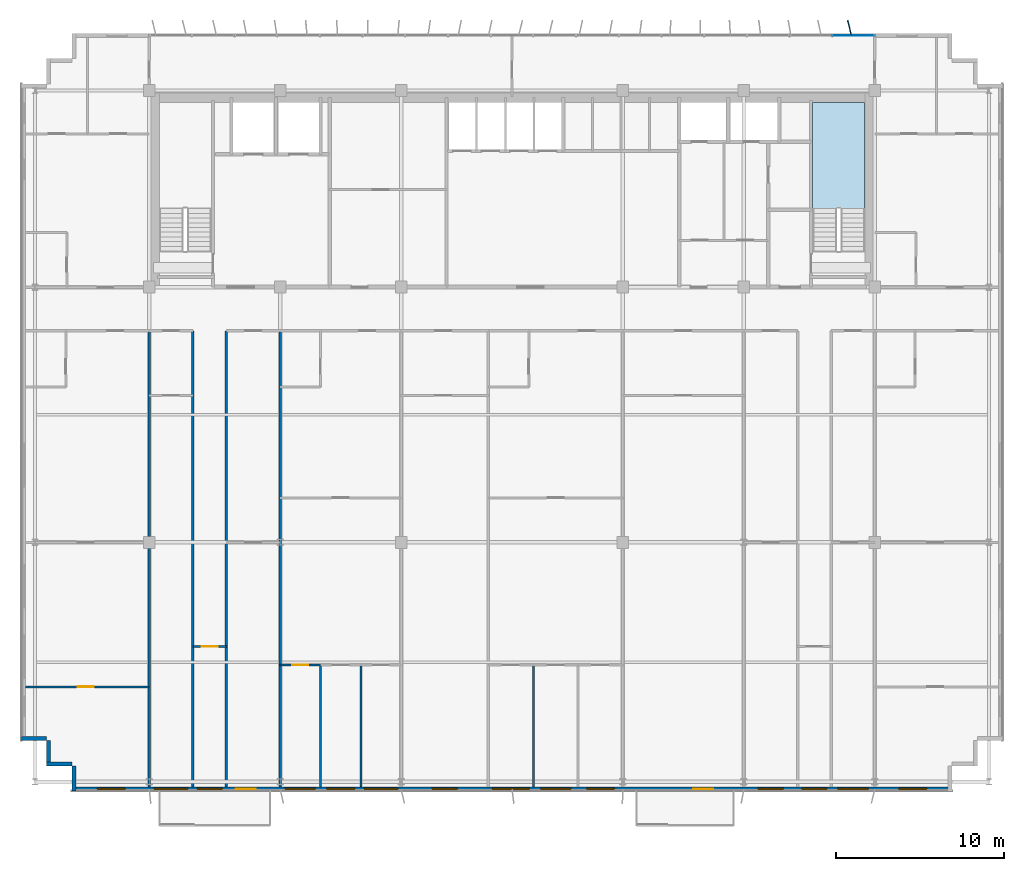
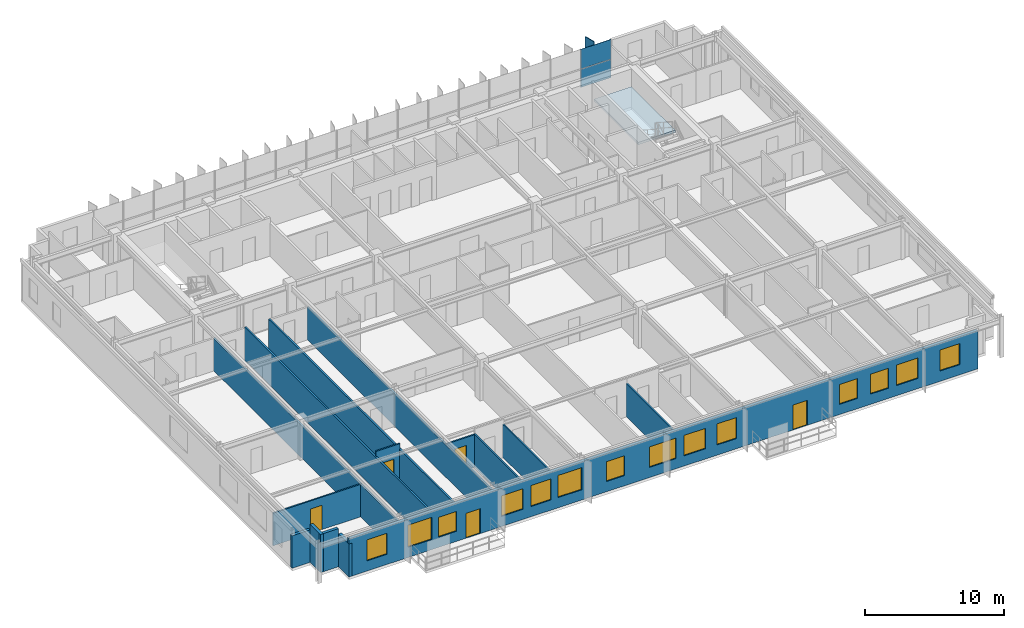
# One storey, part 16 of 23: 15 walls, 14 windows, 5 doors, 3 plates, 1 slab, 19 openings, 2 elements without a shape of their own.
"""IFC4 building model written with IfcOpenShell, lengths in metres."""

import ifcopenshell
import ifcopenshell.guid

model = None  # the IFC model being written
_history = None  # IfcOwnerHistory: only IFC2X3 demands one
_inside = {}  # id of a spatial element -> (the spatial element, [elements in it])
_under = {}  # id of a project, library or spatial element -> (it, [spatial elements below it])
_declared = {}  # id of a project -> (the project, [libraries it declares])
_typed = {}  # id of a type object -> (the type object, [elements of that type])
_made_of = {}  # id of a material, layer set ... -> (it, [elements and type objects made of it])


def new_model(schema):
    """Start an empty IFC model of exactly this schema.

    Asked for "IFC4X3", IfcOpenShell would pick the latest addendum, in which some entities
    have other attributes; the version numbers below select the first issue.
    IFC2X3 requires an IfcOwnerHistory on every rooted entity: one is made here for all.
    """
    global model, _history
    if schema == "IFC4X3":
        model = ifcopenshell.file(schema_version=(4, 3, 0, 0))
    else:
        model = ifcopenshell.file(schema=schema)
    _inside.clear()
    _under.clear()
    _declared.clear()
    _typed.clear()
    _made_of.clear()
    _history = None
    if model.schema == "IFC2X3":
        org = make("IfcOrganization", Name="unknown")
        user = make(
            "IfcPersonAndOrganization",
            ThePerson=make("IfcPerson", FamilyName="unknown"),
            TheOrganization=org,
        )
        app = make(
            "IfcApplication",
            ApplicationDeveloper=org,
            Version="unknown",
            ApplicationFullName="unknown",
            ApplicationIdentifier="unknown",
        )
        _history = make(
            "IfcOwnerHistory",
            OwningUser=user,
            OwningApplication=app,
            ChangeAction="ADDED",
            CreationDate=0,
        )
    return model


def make(cls, **values):
    """One entity of the class cls with the attributes given. An attribute that is None is left unset."""
    return model.create_entity(
        cls, **{name: value for name, value in values.items() if value is not None}
    )


def rooted(cls, **values):
    """An entity with a GlobalId (a new one), such as an element, a storey or a relation."""
    return make(cls, GlobalId=ifcopenshell.guid.new(), OwnerHistory=_history, **values)


def si_unit(unit_type, name, prefix=None):
    """IfcSIUnit, for example si_unit("LENGTHUNIT", "METRE", prefix="MILLI")."""
    return make("IfcSIUnit", UnitType=unit_type, Prefix=prefix, Name=name)


def assignment(units):
    """IfcUnitAssignment: the units of a project."""
    return None if units is None else make("IfcUnitAssignment", Units=units)


def point(xyz):
    """IfcCartesianPoint."""
    return None if xyz is None else make("IfcCartesianPoint", Coordinates=xyz)


def direction(xyz):
    """IfcDirection."""
    return None if xyz is None else make("IfcDirection", DirectionRatios=xyz)


def frame(location, z_axis=None, x_axis=None):
    """IfcAxis2Placement3D, a coordinate frame: its origin and axes. An axis left out is left unset."""
    return make(
        "IfcAxis2Placement3D",
        Location=point(location),
        Axis=direction(z_axis),
        RefDirection=direction(x_axis),
    )


def frame_2d(location, x_axis=None):
    """IfcAxis2Placement2D, a coordinate frame in the plane: its origin and x axis."""
    return make(
        "IfcAxis2Placement2D", Location=point(location), RefDirection=direction(x_axis)
    )


def origin():
    """The frame at (0, 0, 0) with its axes left unset."""
    return frame((0.0, 0.0, 0.0))


def origin_2d():
    """The frame at (0, 0) in the plane with its x axis left unset."""
    return frame_2d((0.0, 0.0))


def place(relative_to, where):
    """IfcLocalPlacement: puts the frame where relative to a parent placement (None: the world)."""
    return make(
        "IfcLocalPlacement", PlacementRelTo=relative_to, RelativePlacement=where
    )


def context(
    kind, dimensions, precision=None, world=None, true_north=None, identifier=None
):
    """IfcGeometricRepresentationContext, for example the 3D "Model" context."""
    return make(
        "IfcGeometricRepresentationContext",
        ContextIdentifier=identifier,
        ContextType=kind,
        CoordinateSpaceDimension=dimensions,
        Precision=precision,
        WorldCoordinateSystem=world,
        TrueNorth=true_north,
    )


def subcontext(parent, identifier, kind, view, scale=None):
    """IfcGeometricRepresentationSubContext, for example "Body" below "Model"."""
    return make(
        "IfcGeometricRepresentationSubContext",
        ContextIdentifier=identifier,
        ContextType=kind,
        ParentContext=parent,
        TargetScale=scale,
        TargetView=view,
    )


def project(units=None, contexts=None):
    """IfcProject with its units and contexts."""
    return rooted(
        "IfcProject",
        Name="project",
        RepresentationContexts=contexts,
        UnitsInContext=assignment(units),
    )


def spatial(cls, under=None, at=None, **own):
    """A site, building, storey or space (cls), placed at a placement, below another one or the project."""
    s = rooted(cls, ObjectPlacement=at, **own)
    if under is not None:
        _under.setdefault(under.id(), (under, []))[1].append(s)
    return s


def polyline(points):
    """IfcPolyline through the points."""
    return make("IfcPolyline", Points=[point(p) for p in points])


def profile(cls, at=None, kind="AREA", **sizes):
    """A parametric profile (cls). Its sizes go by their IFC names, for example OverallWidth=200.0."""
    return make(cls, ProfileType=kind, Position=at, **sizes)


def rectangle(**sizes):
    """IfcRectangleProfileDef."""
    return profile("IfcRectangleProfileDef", **sizes)


def outline(outer, holes=None, kind="AREA"):
    """IfcArbitraryClosedProfileDef: a profile drawn as a closed curve; with holes, ...WithVoids."""
    if holes is None:
        return make("IfcArbitraryClosedProfileDef", ProfileType=kind, OuterCurve=outer)
    return make(
        "IfcArbitraryProfileDefWithVoids",
        ProfileType=kind,
        OuterCurve=outer,
        InnerCurves=holes,
    )


def extrude(swept, where, along, depth):
    """IfcExtrudedAreaSolid: the profile swept, set in the frame where, extruded along a direction by depth."""
    return make(
        "IfcExtrudedAreaSolid",
        SweptArea=swept,
        Position=where,
        ExtrudedDirection=direction(along),
        Depth=depth,
    )


def shape(context_of_items, identifier, shape_type, items):
    """IfcShapeRepresentation: the items that make up one representation, for example the "Body"."""
    return make(
        "IfcShapeRepresentation",
        ContextOfItems=context_of_items,
        RepresentationIdentifier=identifier,
        RepresentationType=shape_type,
        Items=items,
    )


def source(mapping_origin, context_of_items, identifier, shape_type, items):
    """IfcRepresentationMap: a shape defined once, which mapped items show again and again."""
    return make(
        "IfcRepresentationMap",
        MappingOrigin=mapping_origin,
        MappedRepresentation=shape(context_of_items, identifier, shape_type, items),
    )


def transform(
    local_origin,
    x_axis=None,
    y_axis=None,
    z_axis=None,
    scale=None,
    scale2=None,
    scale3=None,
    uniform=True,
):
    """IfcCartesianTransformationOperator3D, or its non-uniform kind. x_axis, y_axis, z_axis: its Axis1, 2, 3."""
    if uniform:
        return make(
            "IfcCartesianTransformationOperator3D",
            Axis1=direction(x_axis),
            Axis2=direction(y_axis),
            LocalOrigin=point(local_origin),
            Scale=scale,
            Axis3=direction(z_axis),
        )
    return make(
        "IfcCartesianTransformationOperator3DnonUniform",
        Axis1=direction(x_axis),
        Axis2=direction(y_axis),
        LocalOrigin=point(local_origin),
        Scale=scale,
        Axis3=direction(z_axis),
        Scale2=scale2,
        Scale3=scale3,
    )


def mapped(mapping_source, mapping_target):
    """IfcMappedItem: shows the shape of a source again, moved by a transform."""
    return make(
        "IfcMappedItem", MappingSource=mapping_source, MappingTarget=mapping_target
    )


def material(Name=None, Category=None):
    """IfcMaterial."""
    return make("IfcMaterial", Name=Name, Category=Category)


def layer(
    of_material, thickness, ventilated=None, Name=None, Category=None, Priority=None
):
    """IfcMaterialLayer: one layer of a wall or slab, of a material (None: an air gap)."""
    return make(
        "IfcMaterialLayer",
        Material=of_material,
        LayerThickness=thickness,
        IsVentilated=ventilated,
        Name=Name,
        Category=Category,
        Priority=Priority,
    )


def layer_set(layers, Name=None):
    """IfcMaterialLayerSet."""
    return make("IfcMaterialLayerSet", MaterialLayers=layers, LayerSetName=Name)


def made_of(thing, what):
    """Note that an element or type object is made of a material, layer set ...; save() writes the relation."""
    if what is not None:
        _made_of.setdefault(what.id(), (what, []))[1].append(thing)
    return thing


def type_object(cls, material=None, **own):
    """A type object (cls), such as IfcWallType, which elements share."""
    return made_of(rooted(cls, **own), material)


def element(
    cls,
    number,
    at=None,
    inside=None,
    cuts=None,
    type_object=None,
    material=None,
    context=None,
    identifier="Body",
    shape_type=None,
    held_by="IfcProductDefinitionShape",
    body=None,
    shapes=None,
    **own,
):
    """One element of the class cls, such as IfcWall. Its Tag is "e" and its number.

    at: its placement. inside: the storey or other place that contains it. cuts: it is an
    opening in that element (IfcRelVoidsElement). A single representation is given by context,
    identifier, shape_type and body (its items); several are given by shapes. held_by: the class
    of the entity that holds the representations. save() writes the other relations.
    """
    e = rooted(cls, Tag="e%d" % number, ObjectPlacement=at, **own)
    if body is not None:
        shapes = [shape(context, identifier, shape_type, body)]
    if shapes is not None:
        e.Representation = make(held_by, Representations=shapes)
    if inside is not None:
        _inside.setdefault(inside.id(), (inside, []))[1].append(e)
    if cuts is not None:
        rooted(
            "IfcRelVoidsElement", RelatingBuildingElement=cuts, RelatedOpeningElement=e
        )
    if type_object is not None:
        _typed.setdefault(type_object.id(), (type_object, []))[1].append(e)
    return made_of(e, material)


def fill(opening, filler):
    """IfcRelFillsElement: the door or window that sits in an opening."""
    return rooted(
        "IfcRelFillsElement",
        RelatingOpeningElement=opening,
        RelatedBuildingElement=filler,
    )


def aggregate(whole, parts):
    """IfcRelAggregates: a whole, such as a stair, and the parts it consists of."""
    return rooted("IfcRelAggregates", RelatingObject=whole, RelatedObjects=parts)


def save(model, path):
    """Write the relations noted so far, then the file.

    IfcRelAggregates (storeys below a building ...), IfcRelContainedInSpatialStructure (elements
    in a storey), IfcRelDefinesByType, IfcRelAssociatesMaterial and IfcRelDeclares: one each for
    every whole, place, type object, material and project.
    """
    for whole, parts in _under.values():
        aggregate(whole, parts)
    for where, things in _inside.values():
        rooted(
            "IfcRelContainedInSpatialStructure",
            RelatedElements=things,
            RelatingStructure=where,
        )
    for kind, things in _typed.values():
        rooted("IfcRelDefinesByType", RelatedObjects=things, RelatingType=kind)
    for what, things in _made_of.values():
        rooted("IfcRelAssociatesMaterial", RelatedObjects=things, RelatingMaterial=what)
    for by, libraries in _declared.values():
        rooted("IfcRelDeclares", RelatingContext=by, RelatedDefinitions=libraries)
    model.write(path)


model = new_model("IFC4")

# Units and contexts
model_context = context("Model", 3, precision=1e-05, world=origin(), true_north=direction((0.0, 1.0)))
body_context = subcontext(model_context, "Body", "Model", "MODEL_VIEW")
ifc_project = project(units=[si_unit("LENGTHUNIT", "METRE"), si_unit("AREAUNIT", "SQUARE_METRE"), si_unit("VOLUMEUNIT", "CUBIC_METRE"), si_unit("PLANEANGLEUNIT", "RADIAN"), si_unit("MASSUNIT", "GRAM", prefix="KILO")], contexts=[model_context])

# Site, building, storey
site_placement = place(None, origin())
site = spatial("IfcSite", under=ifc_project, at=site_placement, CompositionType="ELEMENT")
building_placement = place(site_placement, origin())
building = spatial("IfcBuilding", under=site, at=building_placement, Name="Trelvane Seafront Commons", CompositionType="ELEMENT")
storey_placement = place(building_placement, frame((0.0, 0.0, 208.5)))
storey = spatial("IfcBuildingStorey", under=building, at=storey_placement, Name="L54", CompositionType="ELEMENT", Elevation=208.5)

# Stair, slab
ifc_material_1 = material(Name="Concrete C40/50", Category="concrete")
stair_type = type_object("IfcStairType", Name="ARCH-STR-ST-2-R20-180", PredefinedType="HALF_TURN_STAIR", material=ifc_material_1)
stair_placement = place(storey_placement, origin())
stair = element("IfcStair", 1, at=stair_placement, inside=storey, type_object=stair_type, Name="L54 East Protected Firefighting Exit Stair ST-2", PredefinedType="HALF_TURN_STAIR")
ifc_layer_1 = layer(ifc_material_1, 0.199951171875, Name="ARCH-LND-200")
ifc_layer_set_1 = layer_set([ifc_layer_1], Name="Concrete C40/50")
slab_type = type_object("IfcSlabType", Name="ARCH-LND-200", PredefinedType="LANDING", material=ifc_layer_set_1)
slab_placement = place(storey_placement, frame((0.0, 0.0, 1.60009765625)))
slab = element("IfcSlab", 2, at=slab_placement, type_object=slab_type, Name="ST-2 landing 1", PredefinedType="LANDING", context=body_context, shape_type="SweptSolid", body=[
    extrude(outline(polyline([(58.199951171875, 38.070068359375), (58.199951171875, 44.39990234375), (55.10009765625, 44.39990234375), (55.10009765625, 38.070068359375), (58.199951171875, 38.070068359375)])), origin(), (0.0, 0.0, 1.0), 0.199951171875),
])
aggregate(stair, [slab])

# Plate
ifc_material_2 = material(Name="Anodised pale-silver aluminium", Category="aluminium")
ifc_layer_2 = layer(ifc_material_2, 0.06005859375, Name="ARCH-PLATE-FIN900")
ifc_layer_set_2 = layer_set([ifc_layer_2], Name="Anodised pale-silver aluminium")
plate_type_1 = type_object("IfcPlateType", Name="ARCH-PLATE-FIN900", PredefinedType="USERDEFINED", material=ifc_layer_set_2)
shared_shape_1 = source(origin(), body_context, "Body", "SweptSolid", [
    extrude(rectangle(XDim=0.89990234375, YDim=0.06005859375, at=origin_2d()), origin(), (0.0, 0.0, 1.0), 3.639892578125),
])
plate_1_placement = place(storey_placement, frame((57.293701171875, 48.837158203125, -0.02001953125), z_axis=(0.0, 0.0, 1.0), x_axis=(-0.236439642978, 0.971646178003, 0.0)))
element("IfcPlate", 3, at=plate_1_placement, inside=storey, type_object=plate_type_1, Name="FIN-L54-01503", ObjectType="FIN", PredefinedType="USERDEFINED", context=body_context, shape_type="MappedRepresentation", body=[
    mapped(shared_shape_1, transform((0.0, 0.0, 0.0), x_axis=(1.0, 0.0, 0.0), y_axis=(0.0, 1.0, 0.0), z_axis=(0.0, 0.0, 1.0), scale=1.0)),
])

# Curtain wall, plates
curtain_wall_type = type_object("IfcCurtainWallType", Name="ARCH-CW5-UPTOWER", PredefinedType="NOTDEFINED", material=ifc_material_2)
curtain_wall_placement = place(storey_placement, origin())
curtain_wall = element("IfcCurtainWall", 4, at=curtain_wall_placement, inside=storey, type_object=curtain_wall_type, Name="CW-L54-0097", PredefinedType="NOTDEFINED")
ifc_material_3 = material(Name="Low-E coastal double glazing", Category="glass")
ifc_layer_3 = layer(ifc_material_3, 0.033935546875, Name="ARCH-CW-GLAZ-34")
ifc_layer_set_3 = layer_set([ifc_layer_3], Name="Low-E coastal double glazing")
plate_type_2 = type_object("IfcPlateType", Name="ARCH-CW-GLAZ-34", PredefinedType="CURTAIN_PANEL", material=ifc_layer_set_3)
shared_shape_2 = source(origin(), body_context, "Body", "SweptSolid", [
    extrude(rectangle(XDim=2.51708984375, YDim=0.033935546875, at=origin_2d()), origin(), (0.0, 0.0, 1.0), 1.594970703125),
])
plate_2_placement = place(storey_placement, frame((57.529296875, 48.3701171875, 0.0), z_axis=(0.0, 0.0, 1.0), x_axis=(1.0, 0.0, 0.0)))
plate_2 = element("IfcPlate", 5, at=plate_2_placement, type_object=plate_type_2, Name="CW-L54-0097-P16-1", PredefinedType="CURTAIN_PANEL", context=body_context, shape_type="MappedRepresentation", body=[
    mapped(shared_shape_2, transform((0.0, 0.0, 0.0), x_axis=(1.0, 0.0, 0.0), y_axis=(0.0, 1.0, 0.0), z_axis=(0.0, 0.0, 1.0), scale=1.0)),
])
shared_shape_3 = source(origin(), body_context, "Body", "SweptSolid", [
    extrude(rectangle(XDim=2.51708984375, YDim=0.033935546875, at=origin_2d()), origin(), (0.0, 0.0, 1.0), 1.72900390625),
])
plate_3_placement = place(storey_placement, frame((57.529296875, 48.3701171875, 1.631103515625), z_axis=(0.0, 0.0, 1.0), x_axis=(1.0, 0.0, 0.0)))
plate_3 = element("IfcPlate", 6, at=plate_3_placement, type_object=plate_type_2, Name="CW-L54-0097-P16-2", PredefinedType="CURTAIN_PANEL", context=body_context, shape_type="MappedRepresentation", body=[
    mapped(shared_shape_3, transform((0.0, 0.0, 0.0), x_axis=(1.0, 0.0, 0.0), y_axis=(0.0, 1.0, 0.0), z_axis=(0.0, 0.0, 1.0), scale=1.0)),
])
aggregate(curtain_wall, [plate_2, plate_3])

# Walls
ifc_material_4 = material(Name="Precast concrete C40/50", Category="concrete")
ifc_layer_4 = layer(ifc_material_4, 0.239990234375, Name="ARCH-WALL-EXT240")
ifc_layer_set_4 = layer_set([ifc_layer_4], Name="Precast concrete C40/50")
wall_type_1 = type_object("IfcWallType", Name="ARCH-WALL-EXT240", PredefinedType="SOLIDWALL", material=ifc_layer_set_4)
for number, where, z_axis, x_axis, name in (
    (7, (11.0, 5.02001953125, 0.0), (0.0, 0.0, 1.0), (-1.0, 0.0, 0.0), "EW-L54-01080"),
    (8, (9.6201171875, 4.89990234375, 0.0), (0.0, 0.0, 1.0), (0.0, 1.0, 0.0), "EW-L54-01081"),
):
    element("IfcWall", number, at=place(storey_placement, frame(where, z_axis=z_axis, x_axis=x_axis)), inside=storey, type_object=wall_type_1, Name=name, PredefinedType="SOLIDWALL", context=body_context, shape_type="SweptSolid", body=[
        extrude(rectangle(XDim=1.5, YDim=0.239990234375, at=frame_2d((0.75, 0.0))), origin(), (0.0, 0.0, 1.0), 3.360107421875),
    ])
wall_1_placement = place(storey_placement, frame((9.5, 6.52001953125, 0.0), z_axis=(0.0, 0.0, 1.0), x_axis=(-1.0, 0.0, 0.0)))
element("IfcWall", 9, at=wall_1_placement, inside=storey, type_object=wall_type_1, Name="EW-L54-01082", PredefinedType="SOLIDWALL", context=body_context, shape_type="SweptSolid", body=[
    extrude(rectangle(XDim=1.5, YDim=0.239990234375, at=frame_2d((0.75, 0.0))), origin(), (0.0, 0.0, 1.0), 2.860107421875),
])

# Wall, openings, doors, windows
wall_2_placement = place(storey_placement, frame((63.39990234375, 3.52001953125, 0.0), z_axis=(0.0, 0.0, 1.0), x_axis=(-1.0, 0.0, 0.0)))
wall_2 = element("IfcWall", 10, at=wall_2_placement, inside=storey, type_object=wall_type_1, Name="EW-L54-01097", PredefinedType="SOLIDWALL", context=body_context, shape_type="SweptSolid", body=[
    extrude(rectangle(XDim=52.39990234375, YDim=0.239990234375, at=frame_2d((26.199951171875, 0.0))), origin(), (0.0, 0.0, 1.0), 3.360107421875),
])
opening_1_placement = place(wall_2_placement, frame((1.52001953125, 0.0, 0.89990234375)))
opening_1 = element("IfcOpeningElement", 11, at=opening_1_placement, cuts=wall_2, Name="Opening W07", PredefinedType="OPENING", context=body_context, shape_type="SweptSolid", body=[
    extrude(rectangle(XDim=1.64990234375, YDim=1.85009765625, at=frame_2d((0.824951171875, 0.925048828125))), frame((0.0, 0.1298828125, 0.0), z_axis=(0.0, -1.0, 0.0), x_axis=(1.0, 0.0, 0.0)), (0.0, 0.0, 1.0), 0.260009765625),
])
opening_2_placement = place(wall_2_placement, frame((5.0, 0.0, 0.89990234375)))
opening_2 = element("IfcOpeningElement", 12, at=opening_2_placement, cuts=wall_2, Name="Opening W01", PredefinedType="OPENING", context=body_context, shape_type="SweptSolid", body=[
    extrude(rectangle(XDim=1.800048828125, YDim=1.800048828125, at=frame_2d((0.89990234375, 0.89990234375))), frame((0.0, 0.1298828125, 0.0), z_axis=(0.0, -1.0, 0.0), x_axis=(1.0, 0.0, 0.0)), (0.0, 0.0, 1.0), 0.260009765625),
])
opening_3_placement = place(wall_2_placement, frame((7.449951171875, 0.0, 0.89990234375)))
opening_3 = element("IfcOpeningElement", 13, at=opening_3_placement, cuts=wall_2, Name="Opening W03", PredefinedType="OPENING", context=body_context, shape_type="SweptSolid", body=[
    extrude(rectangle(XDim=1.5, YDim=1.75, at=frame_2d((0.75, 0.875))), frame((0.0, 0.1298828125, 0.0), z_axis=(0.0, -1.0, 0.0), x_axis=(1.0, 0.0, 0.0)), (0.0, 0.0, 1.0), 0.260009765625),
])
opening_4_placement = place(wall_2_placement, frame((10.050048828125, 0.0, 0.89990234375)))
opening_4 = element("IfcOpeningElement", 14, at=opening_4_placement, cuts=wall_2, Name="Opening W03", PredefinedType="OPENING", context=body_context, shape_type="SweptSolid", body=[
    extrude(rectangle(XDim=1.5, YDim=1.75, at=frame_2d((0.75, 0.875))), frame((0.0, 0.1298828125, 0.0), z_axis=(0.0, -1.0, 0.0), x_axis=(1.0, 0.0, 0.0)), (0.0, 0.0, 1.0), 0.260009765625),
])
opening_5_placement = place(wall_2_placement, frame((14.217041015625, 0.0, 0.0)))
opening_5 = element("IfcOpeningElement", 15, at=opening_5_placement, cuts=wall_2, Name="Opening BD-L54-116", PredefinedType="OPENING", context=body_context, shape_type="SweptSolid", body=[
    extrude(rectangle(XDim=1.199951171875, YDim=2.199951171875, at=frame_2d((0.60009765625, 1.10009765625))), frame((0.0, 0.1298828125, 0.0), z_axis=(0.0, -1.0, 0.0), x_axis=(1.0, 0.0, 0.0)), (0.0, 0.0, 1.0), 0.260009765625),
])
opening_6_placement = place(wall_2_placement, frame((20.10791015625, 0.0, 0.89990234375)))
opening_6 = element("IfcOpeningElement", 16, at=opening_6_placement, cuts=wall_2, Name="Opening W07", PredefinedType="OPENING", context=body_context, shape_type="SweptSolid", body=[
    extrude(rectangle(XDim=1.64990234375, YDim=1.85009765625, at=frame_2d((0.824951171875, 0.925048828125))), frame((0.0, 0.1298828125, 0.0), z_axis=(0.0, -1.0, 0.0), x_axis=(1.0, 0.0, 0.0)), (0.0, 0.0, 1.0), 0.260009765625),
])
opening_7_placement = place(wall_2_placement, frame((22.699951171875, 0.0, 0.89990234375)))
opening_7 = element("IfcOpeningElement", 17, at=opening_7_placement, cuts=wall_2, Name="Opening W01", PredefinedType="OPENING", context=body_context, shape_type="SweptSolid", body=[
    extrude(rectangle(XDim=1.800048828125, YDim=1.800048828125, at=frame_2d((0.89990234375, 0.89990234375))), frame((0.0, 0.1298828125, 0.0), z_axis=(0.0, -1.0, 0.0), x_axis=(1.0, 0.0, 0.0)), (0.0, 0.0, 1.0), 0.260009765625),
])
opening_8_placement = place(wall_2_placement, frame((25.166015625, 0.0, 0.89990234375)))
opening_8 = element("IfcOpeningElement", 18, at=opening_8_placement, cuts=wall_2, Name="Opening W02", PredefinedType="OPENING", context=body_context, shape_type="SweptSolid", body=[
    extrude(rectangle(XDim=2.199951171875, YDim=1.800048828125, at=frame_2d((1.10009765625, 0.89990234375))), frame((0.0, 0.1298828125, 0.0), z_axis=(0.0, -1.0, 0.0), x_axis=(1.0, 0.0, 0.0)), (0.0, 0.0, 1.0), 0.260009765625),
])
opening_9_placement = place(wall_2_placement, frame((29.449951171875, 0.0, 0.89990234375)))
opening_9 = element("IfcOpeningElement", 19, at=opening_9_placement, cuts=wall_2, Name="Opening W03", PredefinedType="OPENING", context=body_context, shape_type="SweptSolid", body=[
    extrude(rectangle(XDim=1.5, YDim=1.75, at=frame_2d((0.75, 0.875))), frame((0.0, 0.1298828125, 0.0), z_axis=(0.0, -1.0, 0.0), x_axis=(1.0, 0.0, 0.0)), (0.0, 0.0, 1.0), 0.260009765625),
])
opening_10_placement = place(wall_2_placement, frame((33.0, 0.0, 0.89990234375)))
opening_10 = element("IfcOpeningElement", 20, at=opening_10_placement, cuts=wall_2, Name="Opening W06", PredefinedType="OPENING", context=body_context, shape_type="SweptSolid", body=[
    extrude(rectangle(XDim=2.0, YDim=1.949951171875, at=frame_2d((1.0, 0.97509765625))), frame((0.0, 0.1298828125, 0.0), z_axis=(0.0, -1.0, 0.0), x_axis=(1.0, 0.0, 0.0)), (0.0, 0.0, 1.0), 0.260009765625),
])
opening_11_placement = place(wall_2_placement, frame((35.574951171875, 0.0, 0.89990234375)))
opening_11 = element("IfcOpeningElement", 21, at=opening_11_placement, cuts=wall_2, Name="Opening W07", PredefinedType="OPENING", context=body_context, shape_type="SweptSolid", body=[
    extrude(rectangle(XDim=1.64990234375, YDim=1.85009765625, at=frame_2d((0.824951171875, 0.925048828125))), frame((0.0, 0.1298828125, 0.0), z_axis=(0.0, -1.0, 0.0), x_axis=(1.0, 0.0, 0.0)), (0.0, 0.0, 1.0), 0.260009765625),
])
opening_12_placement = place(wall_2_placement, frame((37.89990234375, 0.0, 0.89990234375)))
opening_12 = element("IfcOpeningElement", 22, at=opening_12_placement, cuts=wall_2, Name="Opening W01", PredefinedType="OPENING", context=body_context, shape_type="SweptSolid", body=[
    extrude(rectangle(XDim=1.800048828125, YDim=1.800048828125, at=frame_2d((0.89990234375, 0.89990234375))), frame((0.0, 0.1298828125, 0.0), z_axis=(0.0, -1.0, 0.0), x_axis=(1.0, 0.0, 0.0)), (0.0, 0.0, 1.0), 0.260009765625),
])
opening_13_placement = place(wall_2_placement, frame((41.4560546875, 0.0, 0.0)))
opening_13 = element("IfcOpeningElement", 23, at=opening_13_placement, cuts=wall_2, Name="Opening BD-L54-117", PredefinedType="OPENING", context=body_context, shape_type="SweptSolid", body=[
    extrude(rectangle(XDim=1.199951171875, YDim=2.199951171875, at=frame_2d((0.60009765625, 1.10009765625))), frame((0.0, 0.1298828125, 0.0), z_axis=(0.0, -1.0, 0.0), x_axis=(1.0, 0.0, 0.0)), (0.0, 0.0, 1.0), 0.260009765625),
])
opening_14_placement = place(wall_2_placement, frame((43.449951171875, 0.0, 0.89990234375)))
opening_14 = element("IfcOpeningElement", 24, at=opening_14_placement, cuts=wall_2, Name="Opening W03", PredefinedType="OPENING", context=body_context, shape_type="SweptSolid", body=[
    extrude(rectangle(XDim=1.5, YDim=1.75, at=frame_2d((0.75, 0.875))), frame((0.0, 0.1298828125, 0.0), z_axis=(0.0, -1.0, 0.0), x_axis=(1.0, 0.0, 0.0)), (0.0, 0.0, 1.0), 0.260009765625),
])
opening_15_placement = place(wall_2_placement, frame((45.5, 0.0, 0.89990234375)))
opening_15 = element("IfcOpeningElement", 25, at=opening_15_placement, cuts=wall_2, Name="Opening W06", PredefinedType="OPENING", context=body_context, shape_type="SweptSolid", body=[
    extrude(rectangle(XDim=2.0, YDim=1.949951171875, at=frame_2d((1.0, 0.97509765625))), frame((0.0, 0.1298828125, 0.0), z_axis=(0.0, -1.0, 0.0), x_axis=(1.0, 0.0, 0.0)), (0.0, 0.0, 1.0), 0.260009765625),
])
opening_16_placement = place(wall_2_placement, frame((49.22998046875, 0.0, 0.89990234375)))
opening_16 = element("IfcOpeningElement", 26, at=opening_16_placement, cuts=wall_2, Name="Opening W07", PredefinedType="OPENING", context=body_context, shape_type="SweptSolid", body=[
    extrude(rectangle(XDim=1.64990234375, YDim=1.85009765625, at=frame_2d((0.824951171875, 0.925048828125))), frame((0.0, 0.1298828125, 0.0), z_axis=(0.0, -1.0, 0.0), x_axis=(1.0, 0.0, 0.0)), (0.0, 0.0, 1.0), 0.260009765625),
])
ifc_material_5 = material(Name="Powder-coated aluminium frame", Category="aluminium")
door_type_1 = type_object("IfcDoorType", Name="ARCH-DR-BAL1200", OperationType="NOTDEFINED", PredefinedType="DOOR", material=ifc_material_5)
shared_shape_4 = source(origin(), body_context, "Body", "SweptSolid", [
    extrude(rectangle(XDim=1.199951171875, YDim=2.199951171875, at=frame_2d((0.60009765625, 1.10009765625))), frame((0.0, 0.02490234375, 0.0), z_axis=(0.0, -1.0, 0.0), x_axis=(1.0, 0.0, 0.0)), (0.0, 0.0, 1.0), 0.050048828125),
])
door_1_placement = place(opening_5_placement, origin())
door_1 = element("IfcDoor", 27, at=door_1_placement, inside=storey, type_object=door_type_1, Name="L54 Balcony Terrace Access Door", OperationType="SINGLE_SWING_LEFT", OverallHeight=2.199951171875, OverallWidth=1.199951171875, PredefinedType="DOOR", context=body_context, shape_type="MappedRepresentation", body=[
    mapped(shared_shape_4, transform((0.0, 0.0, 0.0), x_axis=(1.0, 0.0, 0.0), y_axis=(0.0, 1.0, 0.0), z_axis=(0.0, 0.0, 1.0), scale=1.0)),
])
fill(opening_5, door_1)
door_2_placement = place(opening_13_placement, origin())
door_2 = element("IfcDoor", 28, at=door_2_placement, inside=storey, type_object=door_type_1, Name="L54 Balcony Terrace Access Door", OperationType="SINGLE_SWING_LEFT", OverallHeight=2.199951171875, OverallWidth=1.199951171875, PredefinedType="DOOR", context=body_context, shape_type="MappedRepresentation", body=[
    mapped(shared_shape_4, transform((0.0, 0.0, 0.0), x_axis=(1.0, 0.0, 0.0), y_axis=(0.0, 1.0, 0.0), z_axis=(0.0, 0.0, 1.0), scale=1.0)),
])
fill(opening_13, door_2)
window_type_1 = type_object("IfcWindowType", Name="ARCH-WIN-W02", PartitioningType="SINGLE_PANEL", PredefinedType="WINDOW", material=ifc_material_3)
shared_shape_5 = source(origin(), body_context, "Body", "SweptSolid", [
    extrude(rectangle(XDim=2.199951171875, YDim=1.800048828125, at=frame_2d((1.10009765625, 0.89990234375))), frame((0.0, 0.030029296875, 0.0), z_axis=(0.0, -1.0, 0.0), x_axis=(1.0, 0.0, 0.0)), (0.0, 0.0, 1.0), 0.06005859375),
])
window_1_placement = place(opening_8_placement, origin())
window_1 = element("IfcWindow", 29, at=window_1_placement, inside=storey, type_object=window_type_1, Name="WIN-L54-01321", OverallHeight=1.800048828125, OverallWidth=2.199951171875, PartitioningType="SINGLE_PANEL", PredefinedType="WINDOW", context=body_context, shape_type="MappedRepresentation", body=[
    mapped(shared_shape_5, transform((0.0, 0.0, 0.0), x_axis=(1.0, 0.0, 0.0), y_axis=(0.0, 1.0, 0.0), z_axis=(0.0, 0.0, 1.0), scale=1.0)),
])
fill(opening_8, window_1)
window_type_2 = type_object("IfcWindowType", Name="ARCH-WIN-W03", PartitioningType="SINGLE_PANEL", PredefinedType="WINDOW", material=ifc_material_3)
shared_shape_6 = source(origin(), body_context, "Body", "SweptSolid", [
    extrude(rectangle(XDim=1.5, YDim=1.75, at=frame_2d((0.75, 0.875))), frame((0.0, 0.030029296875, 0.0), z_axis=(0.0, -1.0, 0.0), x_axis=(1.0, 0.0, 0.0)), (0.0, 0.0, 1.0), 0.06005859375),
])
window_2_placement = place(opening_3_placement, origin())
window_2 = element("IfcWindow", 30, at=window_2_placement, inside=storey, type_object=window_type_2, Name="WIN-L54-01317", OverallHeight=1.75, OverallWidth=1.5, PartitioningType="SINGLE_PANEL", PredefinedType="WINDOW", context=body_context, shape_type="MappedRepresentation", body=[
    mapped(shared_shape_6, transform((0.0, 0.0, 0.0), x_axis=(1.0, 0.0, 0.0), y_axis=(0.0, 1.0, 0.0), z_axis=(0.0, 0.0, 1.0), scale=1.0)),
])
fill(opening_3, window_2)
window_3_placement = place(opening_4_placement, origin())
window_3 = element("IfcWindow", 31, at=window_3_placement, inside=storey, type_object=window_type_2, Name="WIN-L54-01318", OverallHeight=1.75, OverallWidth=1.5, PartitioningType="SINGLE_PANEL", PredefinedType="WINDOW", context=body_context, shape_type="MappedRepresentation", body=[
    mapped(shared_shape_6, transform((0.0, 0.0, 0.0), x_axis=(1.0, 0.0, 0.0), y_axis=(0.0, 1.0, 0.0), z_axis=(0.0, 0.0, 1.0), scale=1.0)),
])
fill(opening_4, window_3)
window_4_placement = place(opening_9_placement, origin())
window_4 = element("IfcWindow", 32, at=window_4_placement, inside=storey, type_object=window_type_2, Name="WIN-L54-01322", OverallHeight=1.75, OverallWidth=1.5, PartitioningType="SINGLE_PANEL", PredefinedType="WINDOW", context=body_context, shape_type="MappedRepresentation", body=[
    mapped(shared_shape_6, transform((0.0, 0.0, 0.0), x_axis=(1.0, 0.0, 0.0), y_axis=(0.0, 1.0, 0.0), z_axis=(0.0, 0.0, 1.0), scale=1.0)),
])
fill(opening_9, window_4)
window_5_placement = place(opening_14_placement, origin())
window_5 = element("IfcWindow", 33, at=window_5_placement, inside=storey, type_object=window_type_2, Name="WIN-L54-01326", OverallHeight=1.75, OverallWidth=1.5, PartitioningType="SINGLE_PANEL", PredefinedType="WINDOW", context=body_context, shape_type="MappedRepresentation", body=[
    mapped(shared_shape_6, transform((0.0, 0.0, 0.0), x_axis=(1.0, 0.0, 0.0), y_axis=(0.0, 1.0, 0.0), z_axis=(0.0, 0.0, 1.0), scale=1.0)),
])
fill(opening_14, window_5)
window_type_3 = type_object("IfcWindowType", Name="ARCH-WIN-W06", PartitioningType="SINGLE_PANEL", PredefinedType="WINDOW", material=ifc_material_3)
shared_shape_7 = source(origin(), body_context, "Body", "SweptSolid", [
    extrude(rectangle(XDim=2.0, YDim=1.949951171875, at=frame_2d((1.0, 0.97509765625))), frame((0.0, 0.030029296875, 0.0), z_axis=(0.0, -1.0, 0.0), x_axis=(1.0, 0.0, 0.0)), (0.0, 0.0, 1.0), 0.06005859375),
])
window_6_placement = place(opening_10_placement, origin())
window_6 = element("IfcWindow", 34, at=window_6_placement, inside=storey, type_object=window_type_3, Name="WIN-L54-01323", OverallHeight=1.949951171875, OverallWidth=2.0, PartitioningType="SINGLE_PANEL", PredefinedType="WINDOW", context=body_context, shape_type="MappedRepresentation", body=[
    mapped(shared_shape_7, transform((0.0, 0.0, 0.0), x_axis=(1.0, 0.0, 0.0), y_axis=(0.0, 1.0, 0.0), z_axis=(0.0, 0.0, 1.0), scale=1.0)),
])
fill(opening_10, window_6)
window_7_placement = place(opening_15_placement, origin())
window_7 = element("IfcWindow", 35, at=window_7_placement, inside=storey, type_object=window_type_3, Name="WIN-L54-01327", OverallHeight=1.949951171875, OverallWidth=2.0, PartitioningType="SINGLE_PANEL", PredefinedType="WINDOW", context=body_context, shape_type="MappedRepresentation", body=[
    mapped(shared_shape_7, transform((0.0, 0.0, 0.0), x_axis=(1.0, 0.0, 0.0), y_axis=(0.0, 1.0, 0.0), z_axis=(0.0, 0.0, 1.0), scale=1.0)),
])
fill(opening_15, window_7)
window_type_4 = type_object("IfcWindowType", Name="ARCH-WIN-W01", PartitioningType="SINGLE_PANEL", PredefinedType="WINDOW", material=ifc_material_3)
shared_shape_8 = source(origin(), body_context, "Body", "SweptSolid", [
    extrude(rectangle(XDim=1.800048828125, YDim=1.800048828125, at=frame_2d((0.89990234375, 0.89990234375))), frame((0.0, 0.030029296875, 0.0), z_axis=(0.0, -1.0, 0.0), x_axis=(1.0, 0.0, 0.0)), (0.0, 0.0, 1.0), 0.06005859375),
])
window_8_placement = place(opening_2_placement, origin())
window_8 = element("IfcWindow", 36, at=window_8_placement, inside=storey, type_object=window_type_4, Name="WIN-L54-01316", OverallHeight=1.800048828125, OverallWidth=1.800048828125, PartitioningType="SINGLE_PANEL", PredefinedType="WINDOW", context=body_context, shape_type="MappedRepresentation", body=[
    mapped(shared_shape_8, transform((0.0, 0.0, 0.0), x_axis=(1.0, 0.0, 0.0), y_axis=(0.0, 1.0, 0.0), z_axis=(0.0, 0.0, 1.0), scale=1.0)),
])
fill(opening_2, window_8)
window_9_placement = place(opening_7_placement, origin())
window_9 = element("IfcWindow", 37, at=window_9_placement, inside=storey, type_object=window_type_4, Name="WIN-L54-01320", OverallHeight=1.800048828125, OverallWidth=1.800048828125, PartitioningType="SINGLE_PANEL", PredefinedType="WINDOW", context=body_context, shape_type="MappedRepresentation", body=[
    mapped(shared_shape_8, transform((0.0, 0.0, 0.0), x_axis=(1.0, 0.0, 0.0), y_axis=(0.0, 1.0, 0.0), z_axis=(0.0, 0.0, 1.0), scale=1.0)),
])
fill(opening_7, window_9)
window_10_placement = place(opening_12_placement, origin())
window_10 = element("IfcWindow", 38, at=window_10_placement, inside=storey, type_object=window_type_4, Name="WIN-L54-01325", OverallHeight=1.800048828125, OverallWidth=1.800048828125, PartitioningType="SINGLE_PANEL", PredefinedType="WINDOW", context=body_context, shape_type="MappedRepresentation", body=[
    mapped(shared_shape_8, transform((0.0, 0.0, 0.0), x_axis=(1.0, 0.0, 0.0), y_axis=(0.0, 1.0, 0.0), z_axis=(0.0, 0.0, 1.0), scale=1.0)),
])
fill(opening_12, window_10)
window_type_5 = type_object("IfcWindowType", Name="ARCH-WIN-W07", PartitioningType="SINGLE_PANEL", PredefinedType="WINDOW", material=ifc_material_3)
shared_shape_9 = source(origin(), body_context, "Body", "SweptSolid", [
    extrude(rectangle(XDim=1.64990234375, YDim=1.85009765625, at=frame_2d((0.824951171875, 0.925048828125))), frame((0.0, 0.030029296875, 0.0), z_axis=(0.0, -1.0, 0.0), x_axis=(1.0, 0.0, 0.0)), (0.0, 0.0, 1.0), 0.06005859375),
])
window_11_placement = place(opening_1_placement, origin())
window_11 = element("IfcWindow", 39, at=window_11_placement, inside=storey, type_object=window_type_5, Name="WIN-L54-01315", OverallHeight=1.85009765625, OverallWidth=1.64990234375, PartitioningType="SINGLE_PANEL", PredefinedType="WINDOW", context=body_context, shape_type="MappedRepresentation", body=[
    mapped(shared_shape_9, transform((0.0, 0.0, 0.0), x_axis=(1.0, 0.0, 0.0), y_axis=(0.0, 1.0, 0.0), z_axis=(0.0, 0.0, 1.0), scale=1.0)),
])
fill(opening_1, window_11)
window_12_placement = place(opening_6_placement, origin())
window_12 = element("IfcWindow", 40, at=window_12_placement, inside=storey, type_object=window_type_5, Name="WIN-L54-01319", OverallHeight=1.85009765625, OverallWidth=1.64990234375, PartitioningType="SINGLE_PANEL", PredefinedType="WINDOW", context=body_context, shape_type="MappedRepresentation", body=[
    mapped(shared_shape_9, transform((0.0, 0.0, 0.0), x_axis=(1.0, 0.0, 0.0), y_axis=(0.0, 1.0, 0.0), z_axis=(0.0, 0.0, 1.0), scale=1.0)),
])
fill(opening_6, window_12)
window_13_placement = place(opening_11_placement, origin())
window_13 = element("IfcWindow", 41, at=window_13_placement, inside=storey, type_object=window_type_5, Name="WIN-L54-01324", OverallHeight=1.85009765625, OverallWidth=1.64990234375, PartitioningType="SINGLE_PANEL", PredefinedType="WINDOW", context=body_context, shape_type="MappedRepresentation", body=[
    mapped(shared_shape_9, transform((0.0, 0.0, 0.0), x_axis=(1.0, 0.0, 0.0), y_axis=(0.0, 1.0, 0.0), z_axis=(0.0, 0.0, 1.0), scale=1.0)),
])
fill(opening_11, window_13)
window_14_placement = place(opening_16_placement, origin())
window_14 = element("IfcWindow", 42, at=window_14_placement, inside=storey, type_object=window_type_5, Name="WIN-L54-01328", OverallHeight=1.85009765625, OverallWidth=1.64990234375, PartitioningType="SINGLE_PANEL", PredefinedType="WINDOW", context=body_context, shape_type="MappedRepresentation", body=[
    mapped(shared_shape_9, transform((0.0, 0.0, 0.0), x_axis=(1.0, 0.0, 0.0), y_axis=(0.0, 1.0, 0.0), z_axis=(0.0, 0.0, 1.0), scale=1.0)),
])
fill(opening_16, window_14)

# Wall
wall_3_placement = place(storey_placement, frame((11.1201171875, 3.39990234375, 0.0), z_axis=(0.0, 0.0, 1.0), x_axis=(0.0, 1.0, 0.0)))
element("IfcWall", 43, at=wall_3_placement, inside=storey, type_object=wall_type_1, Name="EW-L54-01098", PredefinedType="SOLIDWALL", context=body_context, shape_type="SweptSolid", body=[
    extrude(rectangle(XDim=1.5, YDim=0.239990234375, at=frame_2d((0.75, 0.0))), origin(), (0.0, 0.0, 1.0), 2.909912109375),
])

# Wall, opening, door
ifc_material_6 = material(Name="Gypsum Drywall Acoustic Partition")
ifc_layer_5 = layer(ifc_material_6, 0.1201171875, Name="ARCH-WALL-PART120")
ifc_layer_set_5 = layer_set([ifc_layer_5], Name="Gypsum Drywall Acoustic Partition")
wall_type_2 = type_object("IfcWallType", Name="ARCH-WALL-PART120", PredefinedType="PARTITIONING", material=ifc_layer_set_5)
wall_4_placement = place(storey_placement, frame((8.239990234375, 9.60009765625, 0.0), z_axis=(0.0, 0.0, 1.0), x_axis=(1.0, 0.0, 0.0)))
wall_4 = element("IfcWall", 44, at=wall_4_placement, inside=storey, type_object=wall_type_2, Name="W-L54-U1-YM-1-062", PredefinedType="PARTITIONING", context=body_context, shape_type="SweptSolid", body=[
    extrude(rectangle(XDim=7.360107421875, YDim=0.1201171875, at=frame_2d((3.68017578125, 0.0))), origin(), (0.0, 0.0, 1.0), 2.860107421875),
])
opening_17_placement = place(wall_4_placement, frame((3.114013671875, 0.0, 0.0)))
opening_17 = element("IfcOpeningElement", 45, at=opening_17_placement, cuts=wall_4, Name="Opening D-L54-34", PredefinedType="OPENING", context=body_context, shape_type="SweptSolid", body=[
    extrude(rectangle(XDim=0.949951171875, YDim=2.14990234375, at=frame_2d((0.47509765625, 1.074951171875))), frame((0.0, 0.070068359375, 0.0), z_axis=(0.0, -1.0, 0.0), x_axis=(1.0, 0.0, 0.0)), (0.0, 0.0, 1.0), 0.14013671875),
])
ifc_material_7 = material(Name="Acoustic timber door leaf", Category="wood")
door_type_2 = type_object("IfcDoorType", Name="ARCH-DR-INT950", OperationType="NOTDEFINED", PredefinedType="DOOR", material=ifc_material_7)
shared_shape_10 = source(origin(), body_context, "Body", "SweptSolid", [
    extrude(rectangle(XDim=0.949951171875, YDim=2.14990234375, at=frame_2d((0.47509765625, 1.074951171875))), frame((0.0, 0.02490234375, 0.0), z_axis=(0.0, -1.0, 0.0), x_axis=(1.0, 0.0, 0.0)), (0.0, 0.0, 1.0), 0.050048828125),
])
door_3_placement = place(opening_17_placement, origin())
door_3 = element("IfcDoor", 46, at=door_3_placement, inside=storey, type_object=door_type_2, Name="L54 Door 34", OperationType="SINGLE_SWING_RIGHT", OverallHeight=2.14990234375, OverallWidth=0.949951171875, PredefinedType="DOOR", context=body_context, shape_type="MappedRepresentation", body=[
    mapped(shared_shape_10, transform((0.0, 0.0, 0.0), x_axis=(1.0, 0.0, 0.0), y_axis=(0.0, 1.0, 0.0), z_axis=(0.0, 0.0, 1.0), scale=1.0)),
])
fill(opening_17, door_3)

wall_5_placement = place(storey_placement, frame((18.199951171875, 12.0, 0.0), z_axis=(0.0, 0.0, 1.0), x_axis=(1.0, 0.0, 0.0)))
wall_5 = element("IfcWall", 47, at=wall_5_placement, inside=storey, type_object=wall_type_2, Name="W-L54-ARM-END-3-067", PredefinedType="PARTITIONING", context=body_context, shape_type="SweptSolid", body=[
    extrude(rectangle(XDim=2.0, YDim=0.1201171875, at=frame_2d((1.0, 0.0))), origin(), (0.0, 0.0, 1.0), 3.360107421875),
])
opening_18_placement = place(wall_5_placement, frame((0.52001953125, 0.0, 0.0)))
opening_18 = element("IfcOpeningElement", 48, at=opening_18_placement, cuts=wall_5, Name="Opening D-L54-37", PredefinedType="OPENING", context=body_context, shape_type="SweptSolid", body=[
    extrude(rectangle(XDim=0.949951171875, YDim=2.14990234375, at=frame_2d((0.47509765625, 1.074951171875))), frame((0.0, 0.070068359375, 0.0), z_axis=(0.0, -1.0, 0.0), x_axis=(1.0, 0.0, 0.0)), (0.0, 0.0, 1.0), 0.14013671875),
])
door_4_placement = place(opening_18_placement, origin())
door_4 = element("IfcDoor", 49, at=door_4_placement, inside=storey, type_object=door_type_2, Name="L54 Door 37", OperationType="SINGLE_SWING_LEFT", OverallHeight=2.14990234375, OverallWidth=0.949951171875, PredefinedType="DOOR", context=body_context, shape_type="MappedRepresentation", body=[
    mapped(shared_shape_10, transform((0.0, 0.0, 0.0), x_axis=(1.0, 0.0, 0.0), y_axis=(0.0, 1.0, 0.0), z_axis=(0.0, 0.0, 1.0), scale=1.0)),
])
fill(opening_18, door_4)

wall_6_placement = place(storey_placement, frame((23.39990234375, 10.89990234375, 0.0), z_axis=(0.0, 0.0, 1.0), x_axis=(1.0, 0.0, 0.0)))
wall_6 = element("IfcWall", 50, at=wall_6_placement, inside=storey, type_object=wall_type_2, Name="W-L54-U5-YM-1-074", PredefinedType="PARTITIONING", context=body_context, shape_type="SweptSolid", body=[
    extrude(rectangle(XDim=2.400146484375, YDim=0.1201171875, at=frame_2d((1.2001953125, 0.0))), origin(), (0.0, 0.0, 1.0), 2.860107421875),
])
opening_19_placement = place(wall_6_placement, frame((0.72509765625, 0.0, 0.0)))
opening_19 = element("IfcOpeningElement", 51, at=opening_19_placement, cuts=wall_6, Name="Opening D-L54-43", PredefinedType="OPENING", context=body_context, shape_type="SweptSolid", body=[
    extrude(rectangle(XDim=0.949951171875, YDim=2.14990234375, at=frame_2d((0.47509765625, 1.074951171875))), frame((0.0, 0.070068359375, 0.0), z_axis=(0.0, -1.0, 0.0), x_axis=(1.0, 0.0, 0.0)), (0.0, 0.0, 1.0), 0.14013671875),
])
door_5_placement = place(opening_19_placement, origin())
door_5 = element("IfcDoor", 52, at=door_5_placement, inside=storey, type_object=door_type_2, Name="L54 Door 43", OperationType="SINGLE_SWING_LEFT", OverallHeight=2.14990234375, OverallWidth=0.949951171875, PredefinedType="DOOR", context=body_context, shape_type="MappedRepresentation", body=[
    mapped(shared_shape_10, transform((0.0, 0.0, 0.0), x_axis=(1.0, 0.0, 0.0), y_axis=(0.0, 1.0, 0.0), z_axis=(0.0, 0.0, 1.0), scale=1.0)),
])
fill(opening_19, door_5)

# Walls
for number, where, z_axis, x_axis, name in (
    (53, (25.800048828125, 3.625, 0.0), (0.0, 0.0, 1.0), (0.0, 1.0, 0.0), "W-L54-U5-BDV-1-076"),
    (54, (28.199951171875, 3.625, 0.0), (0.0, 0.0, 1.0), (0.0, 1.0, 0.0), "W-L54-U5-BDV-2-078"),
    (55, (38.467041015625, 3.625, 0.0), (0.0, 0.0, 1.0), (0.0, 1.0, 0.0), "W-L54-U7-BDV-1-087"),
):
    element("IfcWall", number, at=place(storey_placement, frame(where, z_axis=z_axis, x_axis=x_axis)), inside=storey, type_object=wall_type_2, Name=name, PredefinedType="PARTITIONING", context=body_context, shape_type="SweptSolid", body=[
        extrude(rectangle(XDim=7.27490234375, YDim=0.1201171875, at=frame_2d((3.637451171875, 0.0))), origin(), (0.0, 0.0, 1.0), 2.909912109375),
    ])
ifc_layer_6 = layer(ifc_material_6, 0.14990234375, Name="ARCH-WALL-PART150")
ifc_layer_set_6 = layer_set([ifc_layer_6], Name="Gypsum Drywall Acoustic Partition")
wall_type_3 = type_object("IfcWallType", Name="ARCH-WALL-PART150", PredefinedType="PARTITIONING", material=ifc_layer_set_6)
for number, where, z_axis, x_axis, name in (
    (56, (15.60009765625, 3.625, 0.0), (0.0, 0.0, 1.0), (0.0, 1.0, 0.0), "W-L54-PW-1-051"),
    (57, (23.39990234375, 3.625, 0.0), (0.0, 0.0, 1.0), (0.0, 1.0, 0.0), "W-L54-PW-4-052"),
):
    element("IfcWall", number, at=place(storey_placement, frame(where, z_axis=z_axis, x_axis=x_axis)), inside=storey, type_object=wall_type_3, Name=name, PredefinedType="PARTITIONING", context=body_context, shape_type="SweptSolid", body=[
        extrude(rectangle(XDim=27.175048828125, YDim=0.14990234375, at=frame_2d((13.58740234375, 0.0))), origin(), (0.0, 0.0, 1.0), 2.860107421875),
    ])
for number, where, z_axis, x_axis, name in (
    (58, (18.199951171875, 3.625, 0.0), (0.0, 0.0, 1.0), (0.0, 1.0, 0.0), "W-L54-ARM-W-3-065"),
    (59, (20.199951171875, 3.625, 0.0), (0.0, 0.0, 1.0), (0.0, 1.0, 0.0), "W-L54-ARM-E-3-066"),
):
    element("IfcWall", number, at=place(storey_placement, frame(where, z_axis=z_axis, x_axis=x_axis)), inside=storey, type_object=wall_type_3, Name=name, PredefinedType="PARTITIONING", context=body_context, shape_type="SweptSolid", body=[
        extrude(rectangle(XDim=27.175048828125, YDim=0.14990234375, at=frame_2d((13.58740234375, 0.0))), origin(), (0.0, 0.0, 1.0), 2.909912109375),
    ])

save(model, "model.ifc")
